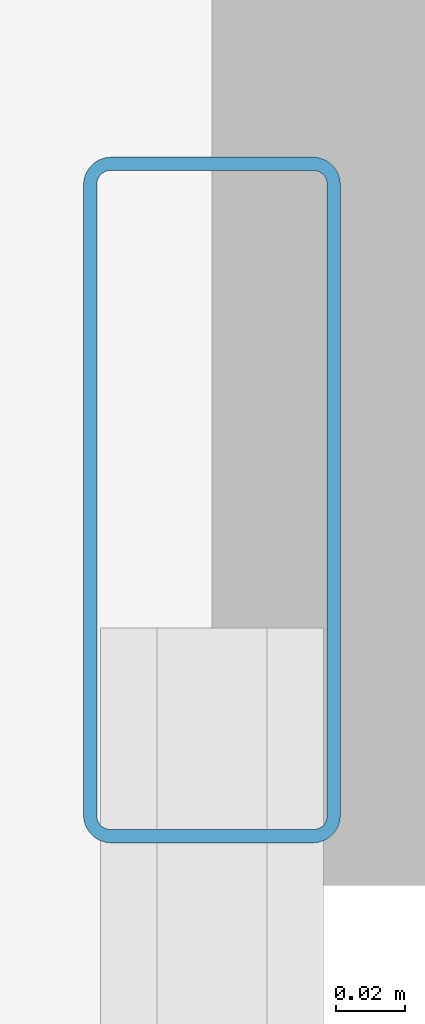
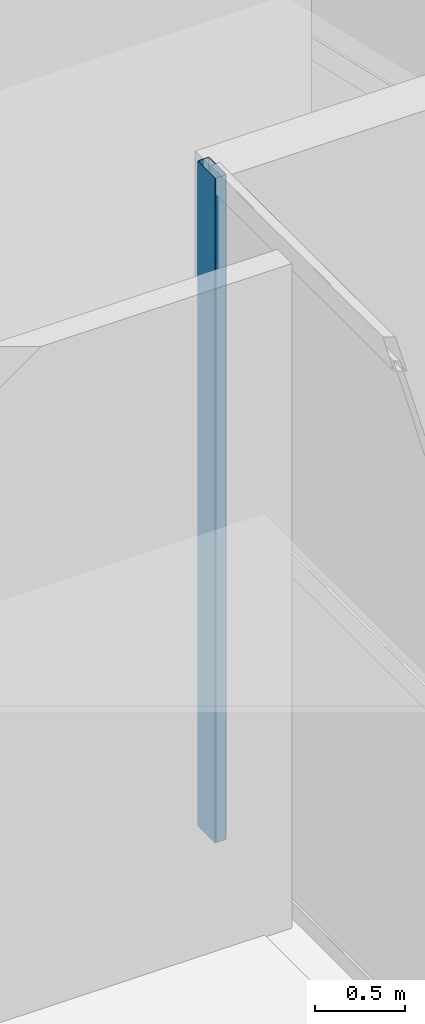
# One storey, part 18 of 42: 1 member, 1 element without a shape of its own.
"""IFC4 building model written with IfcOpenShell, lengths in metres."""

from ifc_helpers import new_model, si_unit, direction, frame, origin, origin_2d, place, context, subcontext, project, spatial, hollow_rectangle, extrude, material, layer, layer_set, material_profile, profile_set, type_object, element, aggregate, save


model = new_model("IFC4")

# Units and contexts
model_context = context("Model", 3, precision=1e-05, world=origin(), true_north=direction((0.0, 1.0)))
body_context = subcontext(model_context, "Body", "Model", "MODEL_VIEW")
ifc_project = project(units=[si_unit("LENGTHUNIT", "METRE"), si_unit("AREAUNIT", "SQUARE_METRE"), si_unit("VOLUMEUNIT", "CUBIC_METRE"), si_unit("PLANEANGLEUNIT", "RADIAN"), si_unit("MASSUNIT", "GRAM", prefix="KILO")], contexts=[model_context])

# Site, building, storey
site_placement = place(None, origin())
site = spatial("IfcSite", under=ifc_project, at=site_placement, CompositionType="ELEMENT")
building_placement = place(site_placement, origin())
building = spatial("IfcBuilding", under=site, at=building_placement, Name="Qorvath Tower", CompositionType="ELEMENT")
storey_placement = place(building_placement, frame((0.0, 0.0, 105.0)))
storey = spatial("IfcBuildingStorey", under=building, at=storey_placement, Name="L23", CompositionType="ELEMENT", Elevation=105.0)

# Curtain wall, member
ifc_material_1 = material(Name="Anodised aluminium and triple low-E glass", Category="aluminium")
ifc_layer = layer(ifc_material_1, 0.179931640625)
ifc_layer_set = layer_set([ifc_layer], Name="CW-SYS-5")
curtain_wall_type = type_object("IfcCurtainWallType", Name="CW-SYS-5", PredefinedType="NOTDEFINED", material=ifc_layer_set)
curtain_wall_placement = place(storey_placement, origin())
curtain_wall = element("IfcCurtainWall", 1, at=curtain_wall_placement, inside=storey, type_object=curtain_wall_type, Name="Curtain Wall CW-5 CW-T-L23-9.1", PredefinedType="NOTDEFINED")
ifc_material_2 = material(Name="Anodised aluminium 6063-T6", Category="aluminium")
ifc_material_profile = material_profile(ifc_material_2, hollow_rectangle(XDim=0.074951171875, YDim=0.199951171875, WallThickness=0.00390625, InnerFilletRadius=0.00390625, OuterFilletRadius=0.008056640625, at=origin_2d()), Name="CWM 200x75")
ifc_profile_set = profile_set([ifc_material_profile], Name="Anodised aluminium 6063-T6")
member_type = type_object("IfcMemberType", Name="CWM-200", PredefinedType="MULLION", material=ifc_profile_set)
member_placement = place(storey_placement, frame((1.910400390625, 5.016845703125, 0.0), z_axis=(0.0, 0.0, 1.0), x_axis=(-1.0, 0.0, 0.0)))
member = element("IfcMember", 2, at=member_placement, type_object=member_type, Name="CW-5 mullion 3", PredefinedType="MULLION", context=body_context, shape_type="SweptSolid", body=[
    extrude(hollow_rectangle(XDim=0.074951171875, YDim=0.199951171875, WallThickness=0.00390625, InnerFilletRadius=0.00390625, OuterFilletRadius=0.008056640625, at=origin_2d()), origin(), (0.0, 0.0, 1.0), 4.52001953125),
])
aggregate(curtain_wall, [member])

save(model, "model.ifc")
